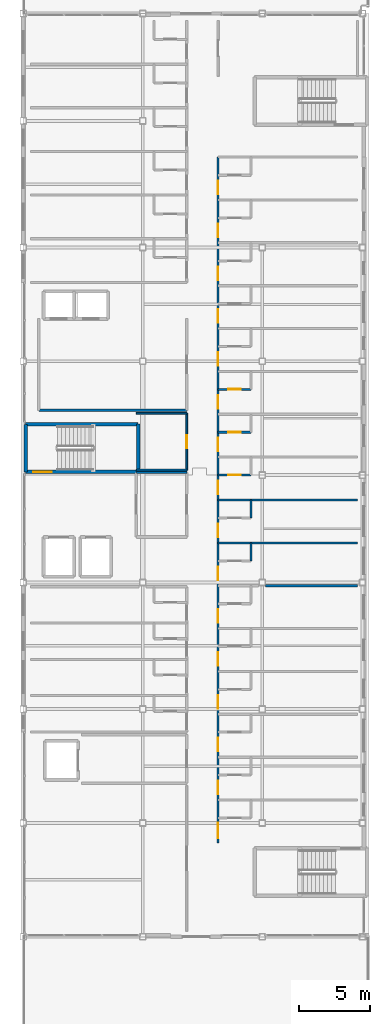
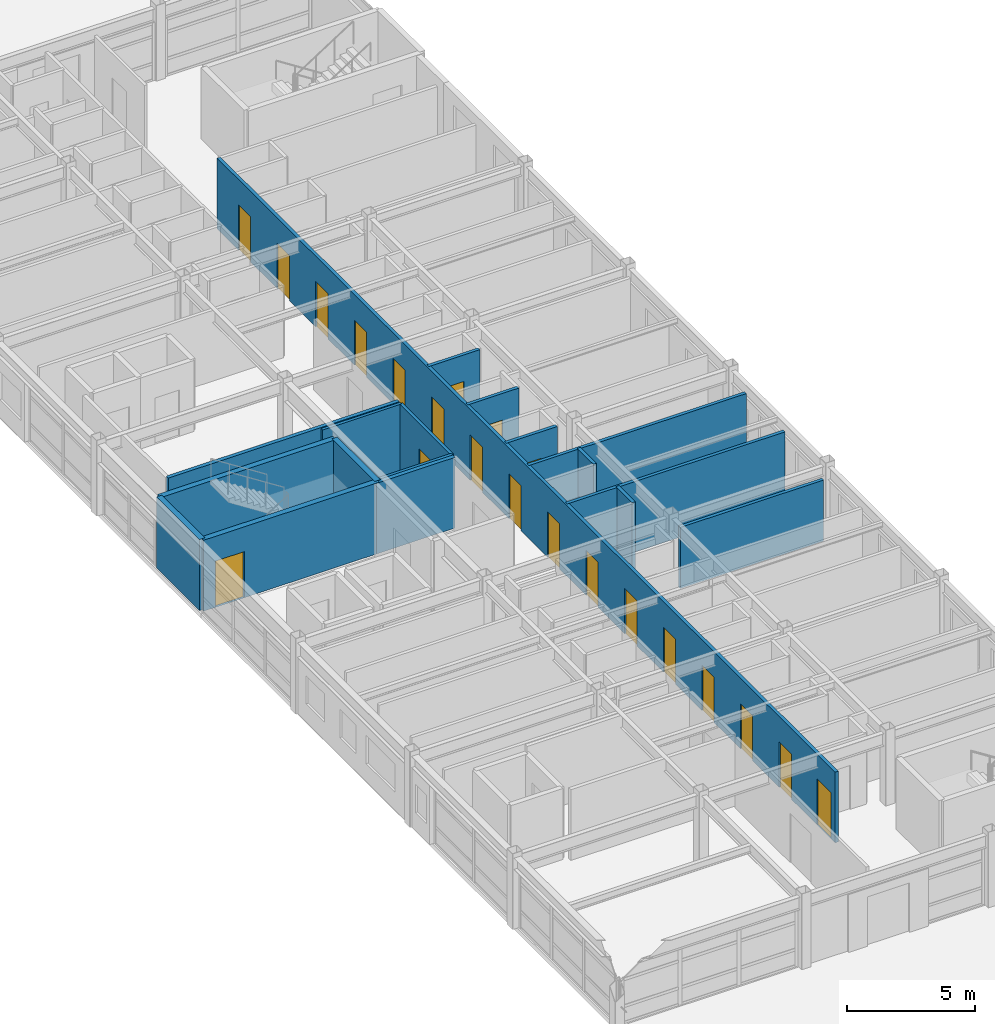
# One storey, part 22 of 28: 21 doors, 18 walls, 21 openings.
"""IFC4 building model written with IfcOpenShell, lengths in metres."""

from ifc_helpers import new_model, si_unit, direction, frame, frame_2d, origin, place, context, subcontext, project, spatial, rectangle, extrude, material, layer, layer_set, type_object, element, fill, save


model = new_model("IFC4")

# Units and contexts
model_context = context("Model", 3, precision=1e-05, world=origin(), true_north=direction((0.0, 1.0)))
body_context = subcontext(model_context, "Body", "Model", "MODEL_VIEW")
ifc_project = project(units=[si_unit("LENGTHUNIT", "METRE"), si_unit("AREAUNIT", "SQUARE_METRE"), si_unit("VOLUMEUNIT", "CUBIC_METRE"), si_unit("PLANEANGLEUNIT", "RADIAN"), si_unit("MASSUNIT", "GRAM", prefix="KILO")], contexts=[model_context])

# Site, building, storey
site_placement = place(None, origin())
site = spatial("IfcSite", under=ifc_project, at=site_placement, CompositionType="ELEMENT")
building_placement = place(site_placement, origin())
building = spatial("IfcBuilding", under=site, at=building_placement, Name="Kazehara Bluff Congress Hotel", CompositionType="ELEMENT")
storey_placement = place(building_placement, frame((0.0, 0.0, 42.60009765625)))
storey = spatial("IfcBuildingStorey", under=building, at=storey_placement, Name="L10", CompositionType="ELEMENT", Elevation=42.60009765625)

# Walls
ifc_material_1 = material(Name="Concrete C40/50", Category="concrete")
ifc_layer_1 = layer(ifc_material_1, 0.25)
ifc_layer_set_1 = layer_set([ifc_layer_1], Name="Concrete C40/50")
wall_type_1 = type_object("IfcWallType", Name="TP-CW-RC", PredefinedType="SHEAR", material=ifc_layer_set_1)
for number, where, z_axis, x_axis, name in (
    (1, (143.875, 48.675048828125, 0.0), (0.0, 0.0, 1.0), (0.0, 1.0, 0.0), "L10 ST-11 core wall near"),
    (2, (151.77490234375, 52.02490234375, 0.0), (0.0, 0.0, 1.0), (0.0, -1.0, 0.0), "L10 ST-11 core wall far"),
):
    element("IfcWall", number, at=place(storey_placement, frame(where, z_axis=z_axis, x_axis=x_axis)), inside=storey, type_object=wall_type_1, Name=name, PredefinedType="SHEAR", context=body_context, shape_type="SweptSolid", body=[
        extrude(rectangle(XDim=3.349853515625, YDim=0.25, at=frame_2d((1.6748046875, 0.0))), origin(), (0.0, 0.0, 1.0), 3.3798828125),
    ])

# Wall, opening, door
wall_1_placement = place(storey_placement, frame((151.77490234375, 48.675048828125, 0.0), z_axis=(0.0, 0.0, 1.0), x_axis=(-1.0, 0.0, 0.0)))
wall_1 = element("IfcWall", 3, at=wall_1_placement, inside=storey, type_object=wall_type_1, Name="L10 ST-11 core wall left", PredefinedType="SHEAR", context=body_context, shape_type="SweptSolid", body=[
    extrude(rectangle(XDim=7.89990234375, YDim=0.25, at=frame_2d((3.949951171875, 0.0))), origin(), (0.0, 0.0, 1.0), 3.3798828125),
])
opening_1_placement = place(wall_1_placement, frame((6.074951171875, 0.0, 0.0)))
opening_1 = element("IfcOpeningElement", 4, at=opening_1_placement, cuts=wall_1, Name="Opening FD-01", PredefinedType="OPENING", context=body_context, shape_type="SweptSolid", body=[
    extrude(rectangle(XDim=1.300048828125, YDim=2.199951171875, at=frame_2d((0.64990234375, 1.10009765625))), frame((0.0, 0.135009765625, 0.0), z_axis=(0.0, -1.0, 0.0), x_axis=(1.0, 0.0, 0.0)), (0.0, 0.0, 1.0), 0.27001953125),
])
ifc_material_2 = material(Name="Fire-rated painted steel leaf", Category="steel")
door_type_1 = type_object("IfcDoorType", Name="TP-FD-01", OperationType="NOTDEFINED", PredefinedType="DOOR", material=ifc_material_2)
door_1_placement = place(opening_1_placement, origin())
door_1 = element("IfcDoor", 5, at=door_1_placement, inside=storey, type_object=door_type_1, Name="L10 ST-11 fire stair door", OperationType="SINGLE_SWING_LEFT", OverallHeight=2.199951171875, OverallWidth=1.300048828125, PredefinedType="DOOR", context=body_context, shape_type="SweptSolid", body=[
    extrude(rectangle(XDim=1.300048828125, YDim=2.199951171875, at=frame_2d((0.64990234375, 1.10009765625))), frame((0.0, 0.02490234375, 0.0), z_axis=(0.0, -1.0, 0.0), x_axis=(1.0, 0.0, 0.0)), (0.0, 0.0, 1.0), 0.050048828125),
])
fill(opening_1, door_1)

# Walls
wall_2_placement = place(storey_placement, frame((143.875, 52.02490234375, 0.0), z_axis=(0.0, 0.0, 1.0), x_axis=(1.0, 0.0, 0.0)))
element("IfcWall", 6, at=wall_2_placement, inside=storey, type_object=wall_type_1, Name="L10 ST-11 core wall right", PredefinedType="SHEAR", context=body_context, shape_type="SweptSolid", body=[
    extrude(rectangle(XDim=7.89990234375, YDim=0.25, at=frame_2d((3.949951171875, 0.0))), origin(), (0.0, 0.0, 1.0), 3.3798828125),
])
ifc_material_3 = material(Name="Concrete C40/50", Category="concrete")
ifc_layer_2 = layer(ifc_material_3, 0.199951171875)
ifc_layer_set_2 = layer_set([ifc_layer_2], Name="Concrete C40/50")
wall_type_2 = type_object("IfcWallType", Name="TP-FW-RC", PredefinedType="SOLIDWALL", material=ifc_layer_set_2)
wall_3_placement = place(storey_placement, frame((151.64990234375, 48.64990234375, 0.0), z_axis=(0.0, 0.0, 1.0), x_axis=(1.0, 0.0, 0.0)))
element("IfcWall", 7, at=wall_3_placement, inside=storey, type_object=wall_type_2, Name="L10 partition FW-RC 1347", PredefinedType="SOLIDWALL", context=body_context, shape_type="SweptSolid", body=[
    extrude(rectangle(XDim=3.550048828125, YDim=0.199951171875, at=frame_2d((1.77490234375, 0.0))), origin(), (0.0, 0.0, 1.0), 3.364990234375),
])
ifc_material_4 = material(Name="Fire-rated gypsum board stud partition")
ifc_layer_3 = layer(ifc_material_4, 0.1298828125)
ifc_layer_set_3 = layer_set([ifc_layer_3], Name="Fire-rated gypsum board stud partition")
wall_type_3 = type_object("IfcWallType", Name="TP-PT-130", PredefinedType="PARTITIONING", material=ifc_layer_set_3)
for number, where, z_axis, x_axis, name in (
    (8, (151.64990234375, 48.800048828125, 0.0), (0.0, 0.0, 1.0), (1.0, 0.0, 0.0), "L10 partition PT-130 1348"),
    (9, (151.64990234375, 52.800048828125, 0.0), (0.0, 0.0, 1.0), (1.0, 0.0, 0.0), "L10 partition PT-130 1352"),
):
    element("IfcWall", number, at=place(storey_placement, frame(where, z_axis=z_axis, x_axis=x_axis)), inside=storey, type_object=wall_type_3, Name=name, PredefinedType="PARTITIONING", context=body_context, shape_type="SweptSolid", body=[
        extrude(rectangle(XDim=3.550048828125, YDim=0.1298828125, at=frame_2d((1.77490234375, 0.0))), origin(), (0.0, 0.0, 1.0), 3.364990234375),
    ])

# Wall, opening, door
wall_4_placement = place(storey_placement, frame((155.199951171875, 48.800048828125, 0.0), z_axis=(0.0, 0.0, 1.0), x_axis=(0.0, 1.0, 0.0)))
wall_4 = element("IfcWall", 10, at=wall_4_placement, inside=storey, type_object=wall_type_3, Name="L10 partition PT-130 1394", PredefinedType="PARTITIONING", context=body_context, shape_type="SweptSolid", body=[
    extrude(rectangle(XDim=4.0, YDim=0.1298828125, at=frame_2d((2.0, 0.0))), origin(), (0.0, 0.0, 1.0), 3.364990234375),
])
opening_2_placement = place(wall_4_placement, frame((1.550048828125, 0.0, 0.0)))
opening_2 = element("IfcOpeningElement", 11, at=opening_2_placement, cuts=wall_4, Name="Opening ID-01", PredefinedType="OPENING", context=body_context, shape_type="SweptSolid", body=[
    extrude(rectangle(XDim=0.89990234375, YDim=2.14990234375, at=frame_2d((0.449951171875, 1.074951171875))), frame((0.0, 0.074951171875, 0.0), z_axis=(0.0, -1.0, 0.0), x_axis=(1.0, 0.0, 0.0)), (0.0, 0.0, 1.0), 0.14990234375),
])
ifc_material_5 = material(Name="Architectural oak veneer leaf")
door_type_2 = type_object("IfcDoorType", Name="TP-ID-01", OperationType="NOTDEFINED", PredefinedType="DOOR", material=ifc_material_5)
door_2_placement = place(opening_2_placement, origin())
door_2 = element("IfcDoor", 12, at=door_2_placement, inside=storey, type_object=door_type_2, Name="L10 L10 Housekeeping and Linen Room door", OperationType="SINGLE_SWING_LEFT", OverallHeight=2.14990234375, OverallWidth=0.89990234375, PredefinedType="DOOR", context=body_context, shape_type="SweptSolid", body=[
    extrude(rectangle(XDim=0.89990234375, YDim=2.14990234375, at=frame_2d((0.449951171875, 1.074951171875))), frame((0.0, 0.02490234375, 0.0), z_axis=(0.0, -1.0, 0.0), x_axis=(1.0, 0.0, 0.0)), (0.0, 0.0, 1.0), 0.050048828125),
])
fill(opening_2, door_2)

# Walls
ifc_material_6 = material(Name="Fire-rated gypsum board stud partition")
ifc_layer_4 = layer(ifc_material_6, 0.14990234375)
ifc_layer_set_4 = layer_set([ifc_layer_4], Name="Fire-rated gypsum board stud partition")
wall_type_4 = type_object("IfcWallType", Name="TP-PT-150", PredefinedType="PARTITIONING", material=ifc_layer_set_4)
wall_5_placement = place(storey_placement, frame((160.7451171875, 40.669921875, 0.0), z_axis=(0.0, 0.0, 1.0), x_axis=(1.0, 0.0, 0.0)))
element("IfcWall", 13, at=wall_5_placement, inside=storey, type_object=wall_type_4, Name="L10 partition PT-150 1340", PredefinedType="PARTITIONING", context=body_context, shape_type="SweptSolid", body=[
    extrude(rectangle(XDim=6.454833984375, YDim=0.14990234375, at=frame_2d((3.2275390625, 0.0))), origin(), (0.0, 0.0, 1.0), 2.90478515625),
])
for number, where, z_axis, x_axis, name in (
    (14, (157.39990234375, 43.68994140625, 0.0), (0.0, 0.0, 1.0), (1.0, 0.0, 0.0), "L10 partition PT-150 1342"),
    (15, (157.39990234375, 46.699951171875, 0.0), (0.0, 0.0, 1.0), (1.0, 0.0, 0.0), "L10 partition PT-150 1345"),
):
    element("IfcWall", number, at=place(storey_placement, frame(where, z_axis=z_axis, x_axis=x_axis)), inside=storey, type_object=wall_type_4, Name=name, PredefinedType="PARTITIONING", context=body_context, shape_type="SweptSolid", body=[
        extrude(rectangle(XDim=9.800048828125, YDim=0.14990234375, at=frame_2d((4.89990234375, 0.0))), origin(), (0.0, 0.0, 1.0), 3.364990234375),
    ])

# Wall, opening, door
wall_6_placement = place(storey_placement, frame((157.39990234375, 48.449951171875, 0.0), z_axis=(0.0, 0.0, 1.0), x_axis=(1.0, 0.0, 0.0)))
wall_6 = element("IfcWall", 16, at=wall_6_placement, inside=storey, type_object=wall_type_4, Name="L10 partition PT-150 1346", PredefinedType="PARTITIONING", context=body_context, shape_type="SweptSolid", body=[
    extrude(rectangle(XDim=2.300048828125, YDim=0.14990234375, at=frame_2d((1.14990234375, 0.0))), origin(), (0.0, 0.0, 1.0), 3.364990234375),
])
opening_3_placement = place(wall_6_placement, frame((0.72509765625, 0.0, 0.0)))
opening_3 = element("IfcOpeningElement", 17, at=opening_3_placement, cuts=wall_6, Name="Opening BD-01", PredefinedType="OPENING", context=body_context, shape_type="SweptSolid", body=[
    extrude(rectangle(XDim=0.85009765625, YDim=2.10009765625, at=frame_2d((0.425048828125, 1.050048828125))), frame((0.0, 0.0849609375, 0.0), z_axis=(0.0, -1.0, 0.0), x_axis=(1.0, 0.0, 0.0)), (0.0, 0.0, 1.0), 0.169921875),
])
ifc_material_7 = material(Name="Architectural oak veneer leaf")
door_type_3 = type_object("IfcDoorType", Name="TP-BD-01", OperationType="NOTDEFINED", PredefinedType="DOOR", material=ifc_material_7)
door_3_placement = place(opening_3_placement, origin())
door_3 = element("IfcDoor", 18, at=door_3_placement, inside=storey, type_object=door_type_3, Name="L10 En-suite Bathroom 313 door", OperationType="SINGLE_SWING_RIGHT", OverallHeight=2.10009765625, OverallWidth=0.85009765625, PredefinedType="DOOR", context=body_context, shape_type="SweptSolid", body=[
    extrude(rectangle(XDim=0.85009765625, YDim=2.10009765625, at=frame_2d((0.425048828125, 1.050048828125))), frame((0.0, 0.02490234375, 0.0), z_axis=(0.0, -1.0, 0.0), x_axis=(1.0, 0.0, 0.0)), (0.0, 0.0, 1.0), 0.050048828125),
])
fill(opening_3, door_3)

wall_7_placement = place(storey_placement, frame((157.39990234375, 51.4599609375, 0.0), z_axis=(0.0, 0.0, 1.0), x_axis=(1.0, 0.0, 0.0)))
wall_7 = element("IfcWall", 19, at=wall_7_placement, inside=storey, type_object=wall_type_4, Name="L10 partition PT-150 1350", PredefinedType="PARTITIONING", context=body_context, shape_type="SweptSolid", body=[
    extrude(rectangle(XDim=2.300048828125, YDim=0.14990234375, at=frame_2d((1.14990234375, 0.0))), origin(), (0.0, 0.0, 1.0), 3.364990234375),
])
opening_4_placement = place(wall_7_placement, frame((0.72509765625, 0.0, 0.0)))
opening_4 = element("IfcOpeningElement", 20, at=opening_4_placement, cuts=wall_7, Name="Opening BD-01", PredefinedType="OPENING", context=body_context, shape_type="SweptSolid", body=[
    extrude(rectangle(XDim=0.85009765625, YDim=2.10009765625, at=frame_2d((0.425048828125, 1.050048828125))), frame((0.0, 0.0849609375, 0.0), z_axis=(0.0, -1.0, 0.0), x_axis=(1.0, 0.0, 0.0)), (0.0, 0.0, 1.0), 0.169921875),
])
door_4_placement = place(opening_4_placement, origin())
door_4 = element("IfcDoor", 21, at=door_4_placement, inside=storey, type_object=door_type_3, Name="L10 En-suite Bathroom 314 door", OperationType="SINGLE_SWING_RIGHT", OverallHeight=2.10009765625, OverallWidth=0.85009765625, PredefinedType="DOOR", context=body_context, shape_type="SweptSolid", body=[
    extrude(rectangle(XDim=0.85009765625, YDim=2.10009765625, at=frame_2d((0.425048828125, 1.050048828125))), frame((0.0, 0.02490234375, 0.0), z_axis=(0.0, -1.0, 0.0), x_axis=(1.0, 0.0, 0.0)), (0.0, 0.0, 1.0), 0.050048828125),
])
fill(opening_4, door_4)

wall_8_placement = place(storey_placement, frame((157.39990234375, 54.47998046875, 0.0), z_axis=(0.0, 0.0, 1.0), x_axis=(1.0, 0.0, 0.0)))
wall_8 = element("IfcWall", 22, at=wall_8_placement, inside=storey, type_object=wall_type_4, Name="L10 partition PT-150 1354", PredefinedType="PARTITIONING", context=body_context, shape_type="SweptSolid", body=[
    extrude(rectangle(XDim=2.300048828125, YDim=0.14990234375, at=frame_2d((1.14990234375, 0.0))), origin(), (0.0, 0.0, 1.0), 3.364990234375),
])
opening_5_placement = place(wall_8_placement, frame((0.72509765625, 0.0, 0.0)))
opening_5 = element("IfcOpeningElement", 23, at=opening_5_placement, cuts=wall_8, Name="Opening BD-01", PredefinedType="OPENING", context=body_context, shape_type="SweptSolid", body=[
    extrude(rectangle(XDim=0.85009765625, YDim=2.10009765625, at=frame_2d((0.425048828125, 1.050048828125))), frame((0.0, 0.0849609375, 0.0), z_axis=(0.0, -1.0, 0.0), x_axis=(1.0, 0.0, 0.0)), (0.0, 0.0, 1.0), 0.169921875),
])
door_5_placement = place(opening_5_placement, origin())
door_5 = element("IfcDoor", 24, at=door_5_placement, inside=storey, type_object=door_type_3, Name="L10 En-suite Bathroom 315 door", OperationType="SINGLE_SWING_RIGHT", OverallHeight=2.10009765625, OverallWidth=0.85009765625, PredefinedType="DOOR", context=body_context, shape_type="SweptSolid", body=[
    extrude(rectangle(XDim=0.85009765625, YDim=2.10009765625, at=frame_2d((0.425048828125, 1.050048828125))), frame((0.0, 0.02490234375, 0.0), z_axis=(0.0, -1.0, 0.0), x_axis=(1.0, 0.0, 0.0)), (0.0, 0.0, 1.0), 0.050048828125),
])
fill(opening_5, door_5)

# Wall, openings, doors
wall_9_placement = place(storey_placement, frame((157.39990234375, 22.60009765625, 0.0), z_axis=(0.0, 0.0, 1.0), x_axis=(0.0, 1.0, 0.0)))
wall_9 = element("IfcWall", 25, at=wall_9_placement, inside=storey, type_object=wall_type_4, Name="L10 partition PT-150 1397", PredefinedType="PARTITIONING", context=body_context, shape_type="SweptSolid", body=[
    extrude(rectangle(XDim=48.199951171875, YDim=0.14990234375, at=frame_2d((24.10009765625, 0.0))), origin(), (0.0, 0.0, 1.0), 3.364990234375),
])
opening_6_placement = place(wall_9_placement, frame((0.324951171875, 0.0, 0.0)))
opening_6 = element("IfcOpeningElement", 26, at=opening_6_placement, cuts=wall_9, Name="Opening GD-02", PredefinedType="OPENING", context=body_context, shape_type="SweptSolid", body=[
    extrude(rectangle(XDim=1.10009765625, YDim=2.199951171875, at=frame_2d((0.550048828125, 1.10009765625))), frame((0.0, 0.0849609375, 0.0), z_axis=(0.0, -1.0, 0.0), x_axis=(1.0, 0.0, 0.0)), (0.0, 0.0, 1.0), 0.169921875),
])
opening_7_placement = place(wall_9_placement, frame((3.409912109375, 0.0, 0.0)))
opening_7 = element("IfcOpeningElement", 27, at=opening_7_placement, cuts=wall_9, Name="Opening GD-01", PredefinedType="OPENING", context=body_context, shape_type="SweptSolid", body=[
    extrude(rectangle(XDim=0.949951171875, YDim=2.14990234375, at=frame_2d((0.47509765625, 1.074951171875))), frame((0.0, 0.0849609375, 0.0), z_axis=(0.0, -1.0, 0.0), x_axis=(1.0, 0.0, 0.0)), (0.0, 0.0, 1.0), 0.169921875),
])
opening_8_placement = place(wall_9_placement, frame((6.425048828125, 0.0, 0.0)))
opening_8 = element("IfcOpeningElement", 28, at=opening_8_placement, cuts=wall_9, Name="Opening GD-01", PredefinedType="OPENING", context=body_context, shape_type="SweptSolid", body=[
    extrude(rectangle(XDim=0.949951171875, YDim=2.14990234375, at=frame_2d((0.47509765625, 1.074951171875))), frame((0.0, 0.0849609375, 0.0), z_axis=(0.0, -1.0, 0.0), x_axis=(1.0, 0.0, 0.0)), (0.0, 0.0, 1.0), 0.169921875),
])
opening_9_placement = place(wall_9_placement, frame((9.43994140625, 0.0, 0.0)))
opening_9 = element("IfcOpeningElement", 29, at=opening_9_placement, cuts=wall_9, Name="Opening GD-01", PredefinedType="OPENING", context=body_context, shape_type="SweptSolid", body=[
    extrude(rectangle(XDim=0.949951171875, YDim=2.14990234375, at=frame_2d((0.47509765625, 1.074951171875))), frame((0.0, 0.0849609375, 0.0), z_axis=(0.0, -1.0, 0.0), x_axis=(1.0, 0.0, 0.0)), (0.0, 0.0, 1.0), 0.169921875),
])
opening_10_placement = place(wall_9_placement, frame((12.449951171875, 0.0, 0.0)))
opening_10 = element("IfcOpeningElement", 30, at=opening_10_placement, cuts=wall_9, Name="Opening GD-01", PredefinedType="OPENING", context=body_context, shape_type="SweptSolid", body=[
    extrude(rectangle(XDim=0.949951171875, YDim=2.14990234375, at=frame_2d((0.47509765625, 1.074951171875))), frame((0.0, 0.0849609375, 0.0), z_axis=(0.0, -1.0, 0.0), x_axis=(1.0, 0.0, 0.0)), (0.0, 0.0, 1.0), 0.169921875),
])
opening_11_placement = place(wall_9_placement, frame((15.4599609375, 0.0, 0.0)))
opening_11 = element("IfcOpeningElement", 31, at=opening_11_placement, cuts=wall_9, Name="Opening GD-01", PredefinedType="OPENING", context=body_context, shape_type="SweptSolid", body=[
    extrude(rectangle(XDim=0.949951171875, YDim=2.14990234375, at=frame_2d((0.47509765625, 1.074951171875))), frame((0.0, 0.0849609375, 0.0), z_axis=(0.0, -1.0, 0.0), x_axis=(1.0, 0.0, 0.0)), (0.0, 0.0, 1.0), 0.169921875),
])
opening_12_placement = place(wall_9_placement, frame((18.47509765625, 0.0, 0.0)))
opening_12 = element("IfcOpeningElement", 32, at=opening_12_placement, cuts=wall_9, Name="Opening GD-01", PredefinedType="OPENING", context=body_context, shape_type="SweptSolid", body=[
    extrude(rectangle(XDim=0.949951171875, YDim=2.14990234375, at=frame_2d((0.47509765625, 1.074951171875))), frame((0.0, 0.0849609375, 0.0), z_axis=(0.0, -1.0, 0.0), x_axis=(1.0, 0.0, 0.0)), (0.0, 0.0, 1.0), 0.169921875),
])
opening_13_placement = place(wall_9_placement, frame((21.489990234375, 0.0, 0.0)))
opening_13 = element("IfcOpeningElement", 33, at=opening_13_placement, cuts=wall_9, Name="Opening GD-01", PredefinedType="OPENING", context=body_context, shape_type="SweptSolid", body=[
    extrude(rectangle(XDim=0.949951171875, YDim=2.14990234375, at=frame_2d((0.47509765625, 1.074951171875))), frame((0.0, 0.0849609375, 0.0), z_axis=(0.0, -1.0, 0.0), x_axis=(1.0, 0.0, 0.0)), (0.0, 0.0, 1.0), 0.169921875),
])
opening_14_placement = place(wall_9_placement, frame((24.5, 0.0, 0.0)))
opening_14 = element("IfcOpeningElement", 34, at=opening_14_placement, cuts=wall_9, Name="Opening GD-01", PredefinedType="OPENING", context=body_context, shape_type="SweptSolid", body=[
    extrude(rectangle(XDim=0.949951171875, YDim=2.14990234375, at=frame_2d((0.47509765625, 1.074951171875))), frame((0.0, 0.0849609375, 0.0), z_axis=(0.0, -1.0, 0.0), x_axis=(1.0, 0.0, 0.0)), (0.0, 0.0, 1.0), 0.169921875),
])
opening_15_placement = place(wall_9_placement, frame((27.510009765625, 0.0, 0.0)))
opening_15 = element("IfcOpeningElement", 35, at=opening_15_placement, cuts=wall_9, Name="Opening GD-01", PredefinedType="OPENING", context=body_context, shape_type="SweptSolid", body=[
    extrude(rectangle(XDim=0.949951171875, YDim=2.14990234375, at=frame_2d((0.47509765625, 1.074951171875))), frame((0.0, 0.0849609375, 0.0), z_axis=(0.0, -1.0, 0.0), x_axis=(1.0, 0.0, 0.0)), (0.0, 0.0, 1.0), 0.169921875),
])
opening_16_placement = place(wall_9_placement, frame((30.52490234375, 0.0, 0.0)))
opening_16 = element("IfcOpeningElement", 36, at=opening_16_placement, cuts=wall_9, Name="Opening GD-01", PredefinedType="OPENING", context=body_context, shape_type="SweptSolid", body=[
    extrude(rectangle(XDim=0.949951171875, YDim=2.14990234375, at=frame_2d((0.47509765625, 1.074951171875))), frame((0.0, 0.0849609375, 0.0), z_axis=(0.0, -1.0, 0.0), x_axis=(1.0, 0.0, 0.0)), (0.0, 0.0, 1.0), 0.169921875),
])
opening_17_placement = place(wall_9_placement, frame((33.5400390625, 0.0, 0.0)))
opening_17 = element("IfcOpeningElement", 37, at=opening_17_placement, cuts=wall_9, Name="Opening GD-01", PredefinedType="OPENING", context=body_context, shape_type="SweptSolid", body=[
    extrude(rectangle(XDim=0.949951171875, YDim=2.14990234375, at=frame_2d((0.47509765625, 1.074951171875))), frame((0.0, 0.0849609375, 0.0), z_axis=(0.0, -1.0, 0.0), x_axis=(1.0, 0.0, 0.0)), (0.0, 0.0, 1.0), 0.169921875),
])
opening_18_placement = place(wall_9_placement, frame((36.550048828125, 0.0, 0.0)))
opening_18 = element("IfcOpeningElement", 38, at=opening_18_placement, cuts=wall_9, Name="Opening GD-01", PredefinedType="OPENING", context=body_context, shape_type="SweptSolid", body=[
    extrude(rectangle(XDim=0.949951171875, YDim=2.14990234375, at=frame_2d((0.47509765625, 1.074951171875))), frame((0.0, 0.0849609375, 0.0), z_axis=(0.0, -1.0, 0.0), x_axis=(1.0, 0.0, 0.0)), (0.0, 0.0, 1.0), 0.169921875),
])
opening_19_placement = place(wall_9_placement, frame((39.56005859375, 0.0, 0.0)))
opening_19 = element("IfcOpeningElement", 39, at=opening_19_placement, cuts=wall_9, Name="Opening GD-01", PredefinedType="OPENING", context=body_context, shape_type="SweptSolid", body=[
    extrude(rectangle(XDim=0.949951171875, YDim=2.14990234375, at=frame_2d((0.47509765625, 1.074951171875))), frame((0.0, 0.0849609375, 0.0), z_axis=(0.0, -1.0, 0.0), x_axis=(1.0, 0.0, 0.0)), (0.0, 0.0, 1.0), 0.169921875),
])
opening_20_placement = place(wall_9_placement, frame((42.574951171875, 0.0, 0.0)))
opening_20 = element("IfcOpeningElement", 40, at=opening_20_placement, cuts=wall_9, Name="Opening GD-01", PredefinedType="OPENING", context=body_context, shape_type="SweptSolid", body=[
    extrude(rectangle(XDim=0.949951171875, YDim=2.14990234375, at=frame_2d((0.47509765625, 1.074951171875))), frame((0.0, 0.0849609375, 0.0), z_axis=(0.0, -1.0, 0.0), x_axis=(1.0, 0.0, 0.0)), (0.0, 0.0, 1.0), 0.169921875),
])
opening_21_placement = place(wall_9_placement, frame((45.5849609375, 0.0, 0.0)))
opening_21 = element("IfcOpeningElement", 41, at=opening_21_placement, cuts=wall_9, Name="Opening GD-01", PredefinedType="OPENING", context=body_context, shape_type="SweptSolid", body=[
    extrude(rectangle(XDim=0.949951171875, YDim=2.14990234375, at=frame_2d((0.47509765625, 1.074951171875))), frame((0.0, 0.0849609375, 0.0), z_axis=(0.0, -1.0, 0.0), x_axis=(1.0, 0.0, 0.0)), (0.0, 0.0, 1.0), 0.169921875),
])
ifc_material_8 = material(Name="Architectural oak veneer leaf")
door_type_4 = type_object("IfcDoorType", Name="TP-GD-01", OperationType="NOTDEFINED", PredefinedType="DOOR", material=ifc_material_8)
door_6_placement = place(opening_7_placement, origin())
door_6 = element("IfcDoor", 42, at=door_6_placement, inside=storey, type_object=door_type_4, Name="L10 Deluxe Twin Guest Room 306 door", OperationType="SINGLE_SWING_LEFT", OverallHeight=2.14990234375, OverallWidth=0.949951171875, PredefinedType="DOOR", context=body_context, shape_type="SweptSolid", body=[
    extrude(rectangle(XDim=0.949951171875, YDim=2.14990234375, at=frame_2d((0.47509765625, 1.074951171875))), frame((0.0, 0.02490234375, 0.0), z_axis=(0.0, -1.0, 0.0), x_axis=(1.0, 0.0, 0.0)), (0.0, 0.0, 1.0), 0.050048828125),
])
fill(opening_7, door_6)
door_7_placement = place(opening_8_placement, origin())
door_7 = element("IfcDoor", 43, at=door_7_placement, inside=storey, type_object=door_type_4, Name="L10 Standard King Guest Room 307 door", OperationType="SINGLE_SWING_LEFT", OverallHeight=2.14990234375, OverallWidth=0.949951171875, PredefinedType="DOOR", context=body_context, shape_type="SweptSolid", body=[
    extrude(rectangle(XDim=0.949951171875, YDim=2.14990234375, at=frame_2d((0.47509765625, 1.074951171875))), frame((0.0, 0.02490234375, 0.0), z_axis=(0.0, -1.0, 0.0), x_axis=(1.0, 0.0, 0.0)), (0.0, 0.0, 1.0), 0.050048828125),
])
fill(opening_8, door_7)
door_8_placement = place(opening_9_placement, origin())
door_8 = element("IfcDoor", 44, at=door_8_placement, inside=storey, type_object=door_type_4, Name="L10 Deluxe Twin Guest Room 308 door", OperationType="SINGLE_SWING_LEFT", OverallHeight=2.14990234375, OverallWidth=0.949951171875, PredefinedType="DOOR", context=body_context, shape_type="SweptSolid", body=[
    extrude(rectangle(XDim=0.949951171875, YDim=2.14990234375, at=frame_2d((0.47509765625, 1.074951171875))), frame((0.0, 0.02490234375, 0.0), z_axis=(0.0, -1.0, 0.0), x_axis=(1.0, 0.0, 0.0)), (0.0, 0.0, 1.0), 0.050048828125),
])
fill(opening_9, door_8)
door_9_placement = place(opening_10_placement, origin())
door_9 = element("IfcDoor", 45, at=door_9_placement, inside=storey, type_object=door_type_4, Name="L10 Standard King Guest Room 309 door", OperationType="SINGLE_SWING_LEFT", OverallHeight=2.14990234375, OverallWidth=0.949951171875, PredefinedType="DOOR", context=body_context, shape_type="SweptSolid", body=[
    extrude(rectangle(XDim=0.949951171875, YDim=2.14990234375, at=frame_2d((0.47509765625, 1.074951171875))), frame((0.0, 0.02490234375, 0.0), z_axis=(0.0, -1.0, 0.0), x_axis=(1.0, 0.0, 0.0)), (0.0, 0.0, 1.0), 0.050048828125),
])
fill(opening_10, door_9)
door_10_placement = place(opening_11_placement, origin())
door_10 = element("IfcDoor", 46, at=door_10_placement, inside=storey, type_object=door_type_4, Name="L10 Deluxe Twin Guest Room 310 door", OperationType="SINGLE_SWING_LEFT", OverallHeight=2.14990234375, OverallWidth=0.949951171875, PredefinedType="DOOR", context=body_context, shape_type="SweptSolid", body=[
    extrude(rectangle(XDim=0.949951171875, YDim=2.14990234375, at=frame_2d((0.47509765625, 1.074951171875))), frame((0.0, 0.02490234375, 0.0), z_axis=(0.0, -1.0, 0.0), x_axis=(1.0, 0.0, 0.0)), (0.0, 0.0, 1.0), 0.050048828125),
])
fill(opening_11, door_10)
door_11_placement = place(opening_12_placement, origin())
door_11 = element("IfcDoor", 47, at=door_11_placement, inside=storey, type_object=door_type_4, Name="L10 Standard King Guest Room 311 door", OperationType="SINGLE_SWING_LEFT", OverallHeight=2.14990234375, OverallWidth=0.949951171875, PredefinedType="DOOR", context=body_context, shape_type="SweptSolid", body=[
    extrude(rectangle(XDim=0.949951171875, YDim=2.14990234375, at=frame_2d((0.47509765625, 1.074951171875))), frame((0.0, 0.02490234375, 0.0), z_axis=(0.0, -1.0, 0.0), x_axis=(1.0, 0.0, 0.0)), (0.0, 0.0, 1.0), 0.050048828125),
])
fill(opening_12, door_11)
door_12_placement = place(opening_13_placement, origin())
door_12 = element("IfcDoor", 48, at=door_12_placement, inside=storey, type_object=door_type_4, Name="L10 Deluxe Twin Guest Room 312 door", OperationType="SINGLE_SWING_LEFT", OverallHeight=2.14990234375, OverallWidth=0.949951171875, PredefinedType="DOOR", context=body_context, shape_type="SweptSolid", body=[
    extrude(rectangle(XDim=0.949951171875, YDim=2.14990234375, at=frame_2d((0.47509765625, 1.074951171875))), frame((0.0, 0.02490234375, 0.0), z_axis=(0.0, -1.0, 0.0), x_axis=(1.0, 0.0, 0.0)), (0.0, 0.0, 1.0), 0.050048828125),
])
fill(opening_13, door_12)
door_13_placement = place(opening_14_placement, origin())
door_13 = element("IfcDoor", 49, at=door_13_placement, inside=storey, type_object=door_type_4, Name="L10 Standard King Guest Room 313 door", OperationType="SINGLE_SWING_LEFT", OverallHeight=2.14990234375, OverallWidth=0.949951171875, PredefinedType="DOOR", context=body_context, shape_type="SweptSolid", body=[
    extrude(rectangle(XDim=0.949951171875, YDim=2.14990234375, at=frame_2d((0.47509765625, 1.074951171875))), frame((0.0, 0.02490234375, 0.0), z_axis=(0.0, -1.0, 0.0), x_axis=(1.0, 0.0, 0.0)), (0.0, 0.0, 1.0), 0.050048828125),
])
fill(opening_14, door_13)
door_14_placement = place(opening_15_placement, origin())
door_14 = element("IfcDoor", 50, at=door_14_placement, inside=storey, type_object=door_type_4, Name="L10 Deluxe Twin Guest Room 314 door", OperationType="SINGLE_SWING_LEFT", OverallHeight=2.14990234375, OverallWidth=0.949951171875, PredefinedType="DOOR", context=body_context, shape_type="SweptSolid", body=[
    extrude(rectangle(XDim=0.949951171875, YDim=2.14990234375, at=frame_2d((0.47509765625, 1.074951171875))), frame((0.0, 0.02490234375, 0.0), z_axis=(0.0, -1.0, 0.0), x_axis=(1.0, 0.0, 0.0)), (0.0, 0.0, 1.0), 0.050048828125),
])
fill(opening_15, door_14)
door_15_placement = place(opening_16_placement, origin())
door_15 = element("IfcDoor", 51, at=door_15_placement, inside=storey, type_object=door_type_4, Name="L10 Standard King Guest Room 315 door", OperationType="SINGLE_SWING_LEFT", OverallHeight=2.14990234375, OverallWidth=0.949951171875, PredefinedType="DOOR", context=body_context, shape_type="SweptSolid", body=[
    extrude(rectangle(XDim=0.949951171875, YDim=2.14990234375, at=frame_2d((0.47509765625, 1.074951171875))), frame((0.0, 0.02490234375, 0.0), z_axis=(0.0, -1.0, 0.0), x_axis=(1.0, 0.0, 0.0)), (0.0, 0.0, 1.0), 0.050048828125),
])
fill(opening_16, door_15)
door_16_placement = place(opening_17_placement, origin())
door_16 = element("IfcDoor", 52, at=door_16_placement, inside=storey, type_object=door_type_4, Name="L10 Deluxe Twin Guest Room 316 door", OperationType="SINGLE_SWING_LEFT", OverallHeight=2.14990234375, OverallWidth=0.949951171875, PredefinedType="DOOR", context=body_context, shape_type="SweptSolid", body=[
    extrude(rectangle(XDim=0.949951171875, YDim=2.14990234375, at=frame_2d((0.47509765625, 1.074951171875))), frame((0.0, 0.02490234375, 0.0), z_axis=(0.0, -1.0, 0.0), x_axis=(1.0, 0.0, 0.0)), (0.0, 0.0, 1.0), 0.050048828125),
])
fill(opening_17, door_16)
door_17_placement = place(opening_18_placement, origin())
door_17 = element("IfcDoor", 53, at=door_17_placement, inside=storey, type_object=door_type_4, Name="L10 Standard King Guest Room 317 door", OperationType="SINGLE_SWING_LEFT", OverallHeight=2.14990234375, OverallWidth=0.949951171875, PredefinedType="DOOR", context=body_context, shape_type="SweptSolid", body=[
    extrude(rectangle(XDim=0.949951171875, YDim=2.14990234375, at=frame_2d((0.47509765625, 1.074951171875))), frame((0.0, 0.02490234375, 0.0), z_axis=(0.0, -1.0, 0.0), x_axis=(1.0, 0.0, 0.0)), (0.0, 0.0, 1.0), 0.050048828125),
])
fill(opening_18, door_17)
door_18_placement = place(opening_19_placement, origin())
door_18 = element("IfcDoor", 54, at=door_18_placement, inside=storey, type_object=door_type_4, Name="L10 Deluxe Twin Guest Room 318 door", OperationType="SINGLE_SWING_LEFT", OverallHeight=2.14990234375, OverallWidth=0.949951171875, PredefinedType="DOOR", context=body_context, shape_type="SweptSolid", body=[
    extrude(rectangle(XDim=0.949951171875, YDim=2.14990234375, at=frame_2d((0.47509765625, 1.074951171875))), frame((0.0, 0.02490234375, 0.0), z_axis=(0.0, -1.0, 0.0), x_axis=(1.0, 0.0, 0.0)), (0.0, 0.0, 1.0), 0.050048828125),
])
fill(opening_19, door_18)
door_19_placement = place(opening_20_placement, origin())
door_19 = element("IfcDoor", 55, at=door_19_placement, inside=storey, type_object=door_type_4, Name="L10 Standard King Guest Room 319 door", OperationType="SINGLE_SWING_LEFT", OverallHeight=2.14990234375, OverallWidth=0.949951171875, PredefinedType="DOOR", context=body_context, shape_type="SweptSolid", body=[
    extrude(rectangle(XDim=0.949951171875, YDim=2.14990234375, at=frame_2d((0.47509765625, 1.074951171875))), frame((0.0, 0.02490234375, 0.0), z_axis=(0.0, -1.0, 0.0), x_axis=(1.0, 0.0, 0.0)), (0.0, 0.0, 1.0), 0.050048828125),
])
fill(opening_20, door_19)
door_20_placement = place(opening_21_placement, origin())
door_20 = element("IfcDoor", 56, at=door_20_placement, inside=storey, type_object=door_type_4, Name="L10 Deluxe Twin Guest Room 320 door", OperationType="SINGLE_SWING_LEFT", OverallHeight=2.14990234375, OverallWidth=0.949951171875, PredefinedType="DOOR", context=body_context, shape_type="SweptSolid", body=[
    extrude(rectangle(XDim=0.949951171875, YDim=2.14990234375, at=frame_2d((0.47509765625, 1.074951171875))), frame((0.0, 0.02490234375, 0.0), z_axis=(0.0, -1.0, 0.0), x_axis=(1.0, 0.0, 0.0)), (0.0, 0.0, 1.0), 0.050048828125),
])
fill(opening_21, door_20)
ifc_material_9 = material(Name="Architectural oak veneer leaf")
door_type_5 = type_object("IfcDoorType", Name="TP-GD-02", OperationType="NOTDEFINED", PredefinedType="DOOR", material=ifc_material_9)
door_21_placement = place(opening_6_placement, origin())
door_21 = element("IfcDoor", 57, at=door_21_placement, inside=storey, type_object=door_type_5, Name="L10 Executive Suite 305 door", OperationType="SINGLE_SWING_LEFT", OverallHeight=2.199951171875, OverallWidth=1.10009765625, PredefinedType="DOOR", context=body_context, shape_type="SweptSolid", body=[
    extrude(rectangle(XDim=1.10009765625, YDim=2.199951171875, at=frame_2d((0.550048828125, 1.10009765625))), frame((0.0, 0.02490234375, 0.0), z_axis=(0.0, -1.0, 0.0), x_axis=(1.0, 0.0, 0.0)), (0.0, 0.0, 1.0), 0.050048828125),
])
fill(opening_6, door_21)

# Walls
wall_10_placement = place(storey_placement, frame((159.699951171875, 42.425048828125, 0.0), z_axis=(0.0, 0.0, 1.0), x_axis=(0.0, 1.0, 0.0)))
element("IfcWall", 58, at=wall_10_placement, inside=storey, type_object=wall_type_4, Name="L10 partition PT-150 1405", PredefinedType="PARTITIONING", context=body_context, shape_type="SweptSolid", body=[
    extrude(rectangle(XDim=1.264892578125, YDim=0.14990234375, at=frame_2d((0.63232421875, 0.0))), origin(), (0.0, 0.0, 1.0), 3.364990234375),
])
wall_11_placement = place(storey_placement, frame((159.699951171875, 45.43994140625, 0.0), z_axis=(0.0, 0.0, 1.0), x_axis=(0.0, 1.0, 0.0)))
element("IfcWall", 59, at=wall_11_placement, inside=storey, type_object=wall_type_4, Name="L10 partition PT-150 1406", PredefinedType="PARTITIONING", context=body_context, shape_type="SweptSolid", body=[
    extrude(rectangle(XDim=1.260009765625, YDim=0.14990234375, at=frame_2d((0.6298828125, 0.0))), origin(), (0.0, 0.0, 1.0), 3.364990234375),
])
ifc_material_10 = material(Name="Fire-rated gypsum board stud partition")
ifc_layer_5 = layer(ifc_material_10, 0.169921875)
ifc_layer_set_5 = layer_set([ifc_layer_5], Name="Fire-rated gypsum board stud partition")
wall_type_5 = type_object("IfcWallType", Name="TP-PT-180", PredefinedType="PARTITIONING", material=ifc_layer_set_5)
wall_12_placement = place(storey_placement, frame((144.800048828125, 53.0, 0.0), z_axis=(0.0, 0.0, 1.0), x_axis=(1.0, 0.0, 0.0)))
element("IfcWall", 60, at=wall_12_placement, inside=storey, type_object=wall_type_5, Name="L10 partition PT-180 1353", PredefinedType="PARTITIONING", context=body_context, shape_type="SweptSolid", body=[
    extrude(rectangle(XDim=10.39990234375, YDim=0.169921875, at=frame_2d((5.199951171875, 0.0))), origin(), (0.0, 0.0, 1.0), 3.364990234375),
])

save(model, "model.ifc")
